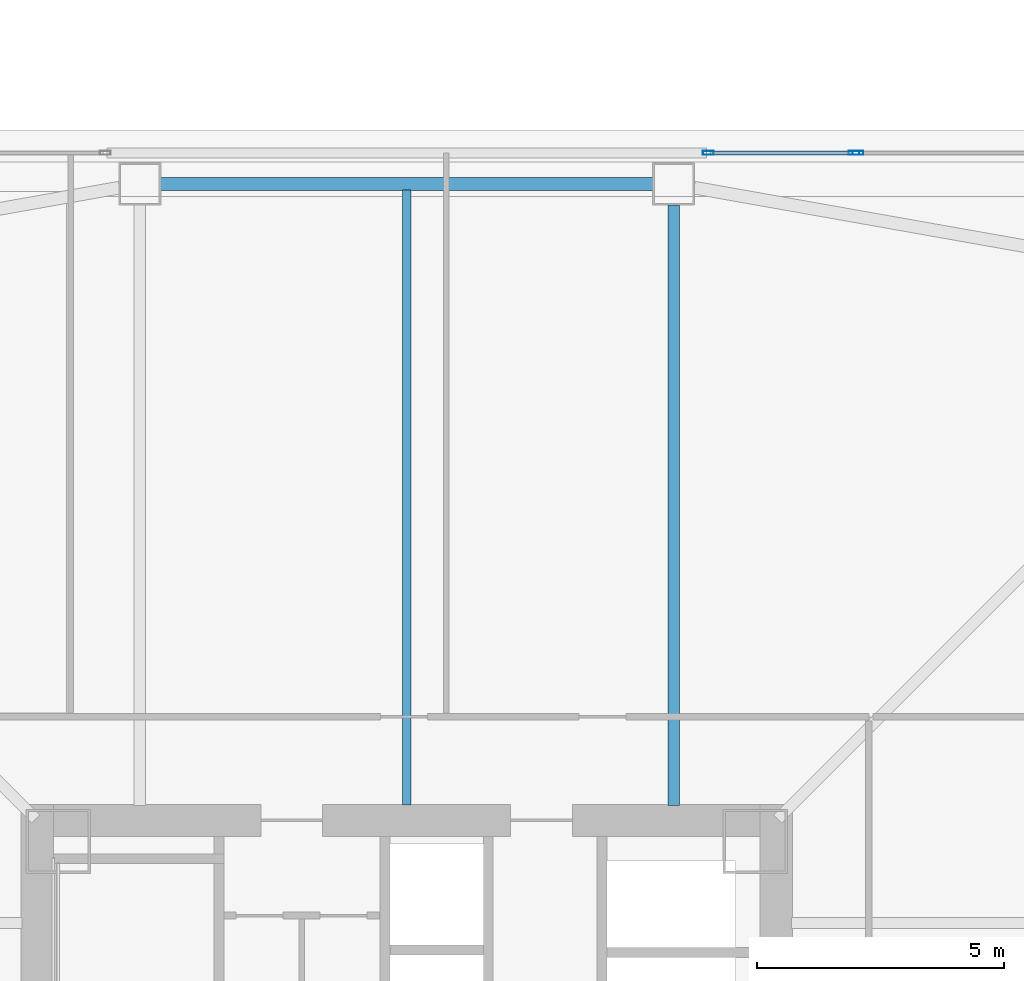
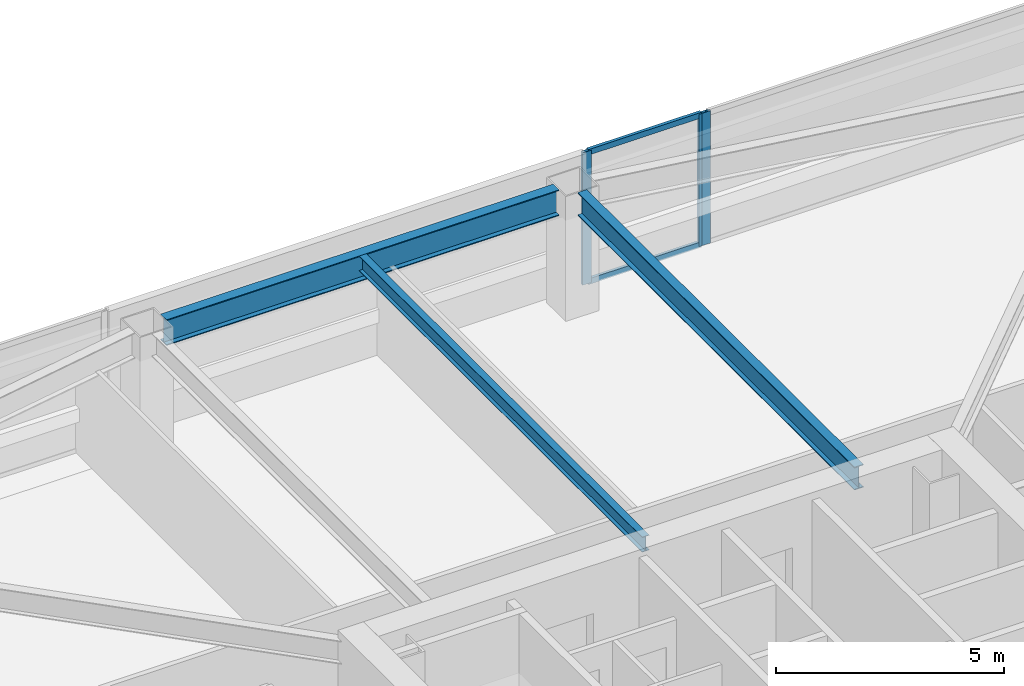
# One storey, part 13 of 44: 5 members, 3 beams, 2 elements without a shape of their own.
"""IFC4 building model written with IfcOpenShell, lengths in metres."""

from ifc_helpers import new_model, si_unit, direction, frame, origin, origin_2d, place, context, subcontext, project, spatial, hollow_rectangle, i_section, extrude, material, material_profile, profile_set, type_object, element, aggregate, save


model = new_model("IFC4")

# Units and contexts
model_context = context("Model", 3, precision=1e-05, world=origin(), true_north=direction((0.0, 1.0)))
body_context = subcontext(model_context, "Body", "Model", "MODEL_VIEW")
ifc_project = project(units=[si_unit("LENGTHUNIT", "METRE"), si_unit("AREAUNIT", "SQUARE_METRE"), si_unit("VOLUMEUNIT", "CUBIC_METRE"), si_unit("PLANEANGLEUNIT", "RADIAN"), si_unit("MASSUNIT", "GRAM", prefix="KILO")], contexts=[model_context])

# Site, building, storey
site_placement = place(None, origin())
site = spatial("IfcSite", under=ifc_project, at=site_placement, CompositionType="ELEMENT")
building_placement = place(site_placement, origin())
building = spatial("IfcBuilding", under=site, at=building_placement, Name="Tashvorn Skyway Center", CompositionType="ELEMENT")
storey_placement = place(building_placement, frame((0.0, 0.0, 102.699951171875)))
storey = spatial("IfcBuildingStorey", under=building, at=storey_placement, Name="L27", CompositionType="ELEMENT", Elevation=102.699951171875)

# Beams
ifc_material_1 = material(Name="Steel ASTM A992 Grade 50", Category="steel")
ifc_material_profile_1 = material_profile(ifc_material_1, i_section(OverallWidth=0.22998046875, OverallDepth=0.616943359375, WebThickness=0.01318359375, FlangeThickness=0.022216796875, at=origin_2d()), Name="W24X94")
ifc_profile_set_1 = profile_set([ifc_material_profile_1], Name="Steel ASTM A992 Grade 50")
beam_type_1 = type_object("IfcBeamType", Name="BM-BEAM-W24X94", PredefinedType="BEAM", material=ifc_profile_set_1)
beam_1_placement = place(storey_placement, frame((47.39990234375, 51.929931640625, 3.04150390625), z_axis=(0.0, -1.0, 0.0), x_axis=(1.0, 0.0, 0.0)))
element("IfcBeam", 1, at=beam_1_placement, inside=storey, type_object=beam_type_1, Name="Tower 1 L27 Primary Floor Girder FC-N1", PredefinedType="BEAM", context=body_context, shape_type="SweptSolid", body=[
    extrude(i_section(OverallWidth=0.22998046875, OverallDepth=0.616943359375, WebThickness=0.01318359375, FlangeThickness=0.022216796875, at=origin_2d()), origin(), (0.0, 0.0, 1.0), 12.14990234375),
])
ifc_material_profile_2 = material_profile(ifc_material_1, i_section(OverallWidth=0.177978515625, OverallDepth=0.406005859375, WebThickness=0.0078125, FlangeThickness=0.0126953125, at=origin_2d()), Name="W16X40")
ifc_profile_set_2 = profile_set([ifc_material_profile_2], Name="Steel ASTM A992 Grade 50")
beam_type_2 = type_object("IfcBeamType", Name="BM-JOIST-W16X40", PredefinedType="JOIST", material=ifc_profile_set_2)
beam_2_placement = place(storey_placement, frame((42.0, 39.7900390625, 3.14697265625), z_axis=(0.0, 1.0, 0.0), x_axis=(-1.0, 0.0, 0.0)))
element("IfcBeam", 2, at=beam_2_placement, inside=storey, type_object=beam_type_2, Name="Tower 1 L27 Secondary Composite Joist JN", PredefinedType="JOIST", context=body_context, shape_type="SweptSolid", body=[
    extrude(i_section(OverallWidth=0.177978515625, OverallDepth=0.406005859375, WebThickness=0.0078125, FlangeThickness=0.0126953125, at=origin_2d()), origin(), (0.0, 0.0, 1.0), 12.43994140625),
])
ifc_material_profile_3 = material_profile(ifc_material_1, i_section(OverallWidth=0.256103515625, OverallDepth=0.693115234375, WebThickness=0.014404296875, FlangeThickness=0.023681640625, at=origin_2d()), Name="W27X114")
ifc_profile_set_3 = profile_set([ifc_material_profile_3], Name="Steel ASTM A992 Grade 50")
beam_type_3 = type_object("IfcBeamType", Name="BM-SPANDREL-W27X114", PredefinedType="SPANDREL", material=ifc_profile_set_3)
beam_3_placement = place(storey_placement, frame((46.97998046875, 52.35009765625, 3.003662109375), z_axis=(-1.0, 0.0, 0.0), x_axis=(0.0, -1.0, 0.0)))
element("IfcBeam", 3, at=beam_3_placement, inside=storey, type_object=beam_type_3, Name="Tower 1 L27 Spandrel Beam 08", PredefinedType="SPANDREL", context=body_context, shape_type="SweptSolid", body=[
    extrude(i_section(OverallWidth=0.256103515625, OverallDepth=0.693115234375, WebThickness=0.014404296875, FlangeThickness=0.023681640625, at=origin_2d()), origin(), (0.0, 0.0, 1.0), 9.9599609375),
])

# Curtain wall, members
ifc_material_2 = material(Name="Thermally broken bronze-anodized aluminium 6063-T6", Category="aluminium")
curtain_wall_type = type_object("IfcCurtainWallType", Name="CW-CW-Z2", PredefinedType="NOTDEFINED", material=ifc_material_2)
curtain_wall_1_placement = place(storey_placement, origin())
curtain_wall_1 = element("IfcCurtainWall", 4, at=curtain_wall_1_placement, inside=storey, type_object=curtain_wall_type, Name="Tower 1 L27 North Unitised Curtain Wall Glazing Group 3", PredefinedType="NOTDEFINED")
ifc_material_profile_4 = material_profile(ifc_material_2, hollow_rectangle(XDim=0.080078125, YDim=0.219970703125, WallThickness=0.0048828125, at=origin_2d()), Name="ALU-MULL-80x220")
ifc_profile_set_4 = profile_set([ifc_material_profile_4], Name="Thermally broken bronze-anodized aluminium 6063-T6")
member_type_1 = type_object("IfcMemberType", Name="CWM-CW-Z2", PredefinedType="MULLION", material=ifc_profile_set_4)
member_1_placement = place(storey_placement, frame((48.10009765625, 52.97998046875, 0.0), z_axis=(0.0, 0.0, 1.0), x_axis=(0.0, 1.0, 0.0)))
member_1 = element("IfcMember", 5, at=member_1_placement, type_object=member_type_1, Name="CW-Z2 mullion 1", PredefinedType="MULLION", context=body_context, shape_type="SweptSolid", body=[
    extrude(hollow_rectangle(XDim=0.080078125, YDim=0.219970703125, WallThickness=0.0048828125, at=origin_2d()), origin(), (0.0, 0.0, 1.0), 3.550048828125),
])
member_2_placement = place(storey_placement, frame((51.050048828125, 52.97998046875, 0.0), z_axis=(0.0, 0.0, 1.0), x_axis=(0.0, 1.0, 0.0)))
member_2 = element("IfcMember", 6, at=member_2_placement, type_object=member_type_1, Name="CW-Z2 mullion 2", PredefinedType="MULLION", context=body_context, shape_type="SweptSolid", body=[
    extrude(hollow_rectangle(XDim=0.080078125, YDim=0.219970703125, WallThickness=0.0048828125, at=origin_2d()), origin(), (0.0, 0.0, 1.0), 3.550048828125),
])

# Curtain wall, member
curtain_wall_2_placement = place(storey_placement, origin())
curtain_wall_2 = element("IfcCurtainWall", 7, at=curtain_wall_2_placement, inside=storey, type_object=curtain_wall_type, Name="Tower 1 L27 North Unitised Curtain Wall Glazing Group 4", PredefinedType="NOTDEFINED")
member_3_placement = place(storey_placement, frame((51.1298828125, 52.97998046875, 0.0), z_axis=(0.0, 0.0, 1.0), x_axis=(0.0, 1.0, 0.0)))
member_3 = element("IfcMember", 8, at=member_3_placement, type_object=member_type_1, Name="CW-Z2 mullion 1", PredefinedType="MULLION", context=body_context, shape_type="SweptSolid", body=[
    extrude(hollow_rectangle(XDim=0.080078125, YDim=0.219970703125, WallThickness=0.0048828125, at=origin_2d()), origin(), (0.0, 0.0, 1.0), 3.550048828125),
])
aggregate(curtain_wall_2, [member_3])

# Member
ifc_material_profile_5 = material_profile(ifc_material_2, hollow_rectangle(XDim=0.080078125, YDim=0.14990234375, WallThickness=0.00439453125, at=origin_2d()), Name="ALU-TRAN-80x150")
ifc_profile_set_5 = profile_set([ifc_material_profile_5], Name="Thermally broken bronze-anodized aluminium 6063-T6")
member_type_2 = type_object("IfcMemberType", Name="CWT-CW-Z2", PredefinedType="USERDEFINED", material=ifc_profile_set_5)
member_4_placement = place(storey_placement, frame((48.139892578125, 52.97998046875, 0.0400390625), z_axis=(1.0, 0.0, 0.0), x_axis=(0.0, 1.0, 0.0)))
member_4 = element("IfcMember", 9, at=member_4_placement, type_object=member_type_2, Name="CW-Z2 transom 1.1", ObjectType="TRANSOM", PredefinedType="USERDEFINED", context=body_context, shape_type="SweptSolid", body=[
    extrude(hollow_rectangle(XDim=0.080078125, YDim=0.14990234375, WallThickness=0.00439453125, at=origin_2d()), origin(), (0.0, 0.0, 1.0), 2.8701171875),
])

member_5_placement = place(storey_placement, frame((48.139892578125, 52.97998046875, 3.510009765625), z_axis=(1.0, 0.0, 0.0), x_axis=(0.0, 1.0, 0.0)))
member_5 = element("IfcMember", 10, at=member_5_placement, type_object=member_type_2, Name="CW-Z2 transom 1.2", ObjectType="TRANSOM", PredefinedType="USERDEFINED", context=body_context, shape_type="SweptSolid", body=[
    extrude(hollow_rectangle(XDim=0.080078125, YDim=0.14990234375, WallThickness=0.00439453125, at=origin_2d()), origin(), (0.0, 0.0, 1.0), 2.8701171875),
])

aggregate(curtain_wall_1, [member_1, member_2, member_4, member_5])

save(model, "model.ifc")
